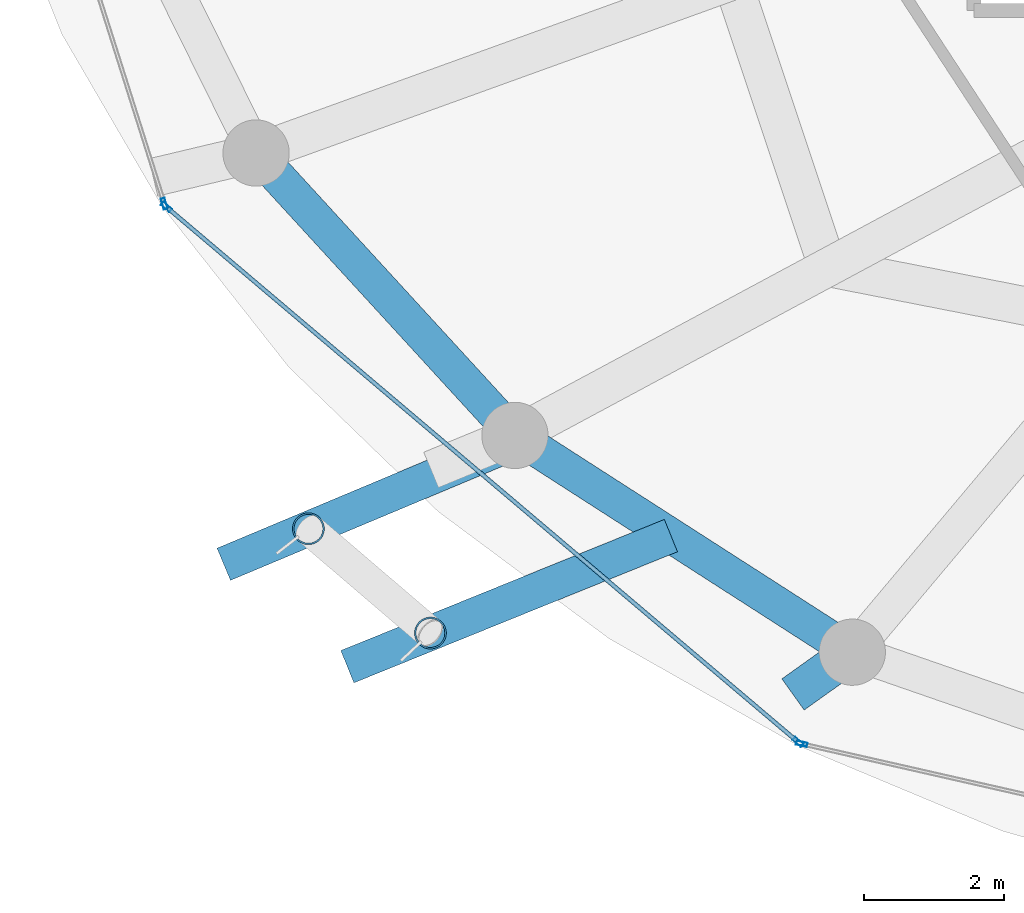
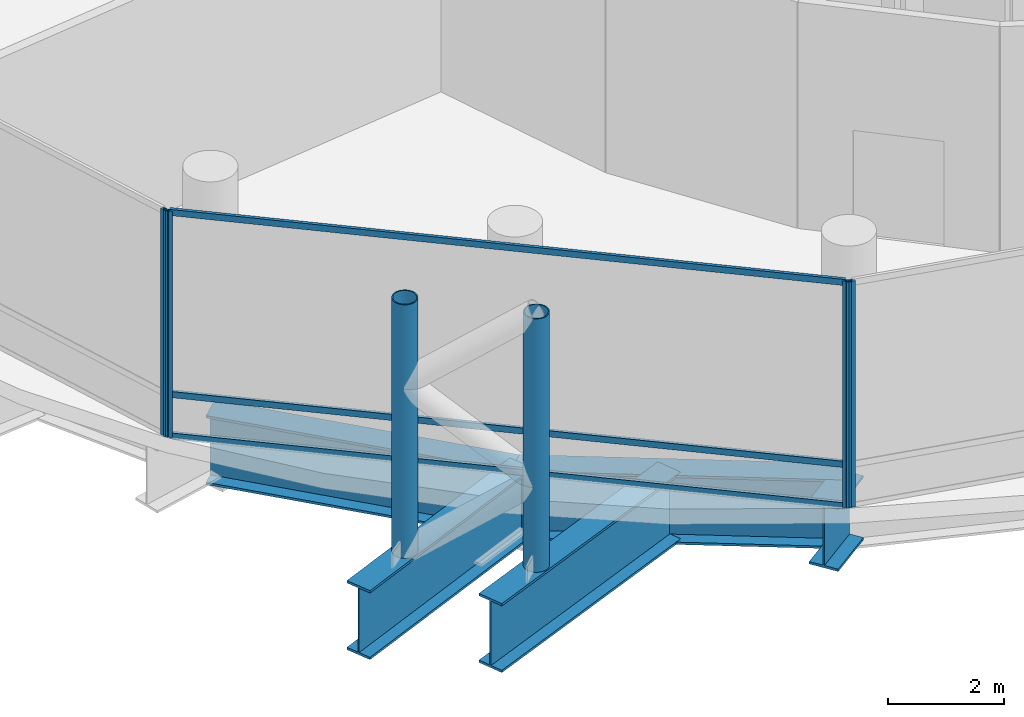
# One storey, part 2 of 29: 9 members, 5 beams, 3 elements without a shape of their own.
"""IFC4 building model written with IfcOpenShell, lengths in metres."""

from ifc_helpers import new_model, si_unit, direction, frame, origin, origin_2d, place, context, subcontext, project, spatial, hollow_rectangle, hollow_circle, i_section, extrude, material, layer, layer_set, material_profile, profile_set, type_object, element, aggregate, save


model = new_model("IFC4")

# Units and contexts
model_context = context("Model", 3, precision=1e-05, world=origin(), true_north=direction((0.0, 1.0)))
body_context = subcontext(model_context, "Body", "Model", "MODEL_VIEW")
ifc_project = project(units=[si_unit("LENGTHUNIT", "METRE"), si_unit("AREAUNIT", "SQUARE_METRE"), si_unit("VOLUMEUNIT", "CUBIC_METRE"), si_unit("PLANEANGLEUNIT", "RADIAN"), si_unit("MASSUNIT", "GRAM", prefix="KILO")], contexts=[model_context])

# Site, building, storey
site_placement = place(None, origin())
site = spatial("IfcSite", under=ifc_project, at=site_placement, CompositionType="ELEMENT")
building_placement = place(site_placement, origin())
building = spatial("IfcBuilding", under=site, at=building_placement, Name="Nuhasar Tower", CompositionType="ELEMENT")
storey_placement = place(building_placement, frame((0.0, 0.0, 113.25)))
storey = spatial("IfcBuildingStorey", under=building, at=storey_placement, Name="L26", CompositionType="ELEMENT", Elevation=113.25)

# Beams
ifc_material_1 = material(Name="Steel S460", Category="steel")
ifc_material_profile_1 = material_profile(ifc_material_1, i_section(OverallWidth=0.550048828125, OverallDepth=1.35009765625, WebThickness=0.028076171875, FlangeThickness=0.050048828125, at=origin_2d()), Name="PG1350X550")
ifc_profile_set_1 = profile_set([ifc_material_profile_1], Name="Steel S460")
beam_type_1 = type_object("IfcBeamType", Name="BM-XFER-PG1350", PredefinedType="USERDEFINED", material=ifc_profile_set_1)
beam_1_placement = place(storey_placement, frame((27.324951171875, 9.868896484375, -0.9951171875), z_axis=(-0.81422311816, -0.58055207678, 0.0), x_axis=(0.58055207678, -0.81422311816, 0.0)))
element("IfcBeam", 1, at=beam_1_placement, inside=storey, type_object=beam_type_1, Name="L26 Outer Column Step Transfer Girder 17", ObjectType="GIRDER", PredefinedType="USERDEFINED", context=body_context, shape_type="SweptSolid", body=[
    extrude(i_section(OverallWidth=0.550048828125, OverallDepth=1.35009765625, WebThickness=0.028076171875, FlangeThickness=0.050048828125, at=origin_2d()), origin(), (0.0, 0.0, 1.0), 1.043701171875),
])
ifc_material_profile_2 = material_profile(ifc_material_1, i_section(OverallWidth=0.5, OverallDepth=1.449951171875, WebThickness=0.028076171875, FlangeThickness=0.050048828125, at=origin_2d()), Name="PG1450X500")
ifc_profile_set_2 = profile_set([ifc_material_profile_2], Name="Steel S460")
beam_type_2 = type_object("IfcBeamType", Name="BM-XFER-PG1450", PredefinedType="USERDEFINED", material=ifc_profile_set_2)
beam_2_placement = place(storey_placement, frame((18.778076171875, 17.02490234375, -1.044921875), z_axis=(0.675676316545, -0.737198423262, 0.0), x_axis=(0.737198423262, 0.675676316545, 0.0)))
element("IfcBeam", 2, at=beam_2_placement, inside=storey, type_object=beam_type_2, Name="L26 Perimeter Ring Spandrel 15", ObjectType="GIRDER", PredefinedType="USERDEFINED", context=body_context, shape_type="SweptSolid", body=[
    extrude(i_section(OverallWidth=0.5, OverallDepth=1.449951171875, WebThickness=0.028076171875, FlangeThickness=0.050048828125, at=origin_2d()), origin(), (0.0, 0.0, 1.0), 5.4921875),
])
beam_3_placement = place(storey_placement, frame((22.489013671875, 12.97607421875, -1.044921875), z_axis=(0.841308170616, -0.540555789955, 0.0), x_axis=(0.540555789955, 0.841308170616, 0.0)))
element("IfcBeam", 3, at=beam_3_placement, inside=storey, type_object=beam_type_2, Name="L26 Perimeter Ring Spandrel 16", ObjectType="GIRDER", PredefinedType="USERDEFINED", context=body_context, shape_type="SweptSolid", body=[
    extrude(i_section(OverallWidth=0.5, OverallDepth=1.449951171875, WebThickness=0.028076171875, FlangeThickness=0.050048828125, at=origin_2d()), origin(), (0.0, 0.0, 1.0), 5.748046875),
])
beam_4_placement = place(storey_placement, frame((22.580078125, 12.9169921875, -1.044921875), z_axis=(-0.922234459604, -0.386631092281, 0.0), x_axis=(0.386631092281, -0.922234459604, 0.0)))
element("IfcBeam", 4, at=beam_4_placement, inside=storey, type_object=beam_type_2, Name="L26 Exoskeleton Step Transfer Girder 15", ObjectType="GIRDER", PredefinedType="USERDEFINED", context=body_context, shape_type="SweptSolid", body=[
    extrude(i_section(OverallWidth=0.5, OverallDepth=1.449951171875, WebThickness=0.028076171875, FlangeThickness=0.050048828125, at=origin_2d()), origin(), (0.0, 0.0, 1.0), 4.624755859375),
])
beam_5_placement = place(storey_placement, frame((24.72509765625, 11.5400390625, -1.044921875), z_axis=(-0.926822339646, -0.375500134133, 0.0), x_axis=(0.375500134133, -0.926822339646, 0.0)))
element("IfcBeam", 5, at=beam_5_placement, inside=storey, type_object=beam_type_2, Name="L26 Exoskeleton Step Transfer Girder 16", ObjectType="GIRDER", PredefinedType="USERDEFINED", context=body_context, shape_type="SweptSolid", body=[
    extrude(i_section(OverallWidth=0.5, OverallDepth=1.449951171875, WebThickness=0.028076171875, FlangeThickness=0.050048828125, at=origin_2d()), origin(), (0.0, 0.0, 1.0), 5.00439453125),
])

# Curtain wall, member
ifc_material_2 = material(Name="Aluminium 6063-T6", Category="aluminium")
ifc_layer = layer(ifc_material_2, 0.239990234375)
ifc_layer_set = layer_set([ifc_layer], Name="Aluminium 6063-T6")
curtain_wall_type = type_object("IfcCurtainWallType", Name="CW-SKY-LBY", PredefinedType="NOTDEFINED", material=ifc_layer_set)
curtain_wall_1_placement = place(storey_placement, origin())
curtain_wall_1 = element("IfcCurtainWall", 6, at=curtain_wall_1_placement, inside=storey, type_object=curtain_wall_type, Name="L26 Unitised Curtain Wall 07", PredefinedType="NOTDEFINED")
ifc_material_profile_3 = material_profile(ifc_material_2, hollow_rectangle(XDim=0.06005859375, YDim=0.159912109375, WallThickness=0.0048828125, at=origin_2d()), Name="CWM-6")
ifc_profile_set_3 = profile_set([ifc_material_profile_3], Name="Aluminium 6063-T6")
member_type_1 = type_object("IfcMemberType", Name="CW-MUL-S6", PredefinedType="MULLION", material=ifc_profile_set_3)
member_1_placement = place(storey_placement, frame((17.4619140625, 16.298583984375, 0.0), z_axis=(0.0, 0.0, 1.0), x_axis=(0.953433389233, 0.301603667577, 0.0)))
member_1 = element("IfcMember", 7, at=member_1_placement, type_object=member_type_1, Name="CW-SL mullion 2", PredefinedType="MULLION", context=body_context, shape_type="SweptSolid", body=[
    extrude(hollow_rectangle(XDim=0.06005859375, YDim=0.159912109375, WallThickness=0.0048828125, at=origin_2d()), origin(), (0.0, 0.0, 1.0), 4.75),
])
aggregate(curtain_wall_1, [member_1])

# Curtain wall, members
curtain_wall_2_placement = place(storey_placement, origin())
curtain_wall_2 = element("IfcCurtainWall", 8, at=curtain_wall_2_placement, inside=storey, type_object=curtain_wall_type, Name="L26 Unitised Curtain Wall 08", PredefinedType="NOTDEFINED")
member_2_placement = place(storey_placement, frame((17.493896484375, 16.25048828125, 0.0), z_axis=(0.0, 0.0, 1.0), x_axis=(0.646374438324, 0.763020370292, 0.0)))
member_2 = element("IfcMember", 9, at=member_2_placement, type_object=member_type_1, Name="CW-SL mullion 1", PredefinedType="MULLION", context=body_context, shape_type="SweptSolid", body=[
    extrude(hollow_rectangle(XDim=0.06005859375, YDim=0.159912109375, WallThickness=0.0048828125, at=origin_2d()), origin(), (0.0, 0.0, 1.0), 4.75),
])
member_3_placement = place(storey_placement, frame((26.547119140625, 8.581298828125, 0.0), z_axis=(0.0, 0.0, 1.0), x_axis=(0.646374438324, 0.763020370292, 0.0)))
member_3 = element("IfcMember", 10, at=member_3_placement, type_object=member_type_1, Name="CW-SL mullion 2", PredefinedType="MULLION", context=body_context, shape_type="SweptSolid", body=[
    extrude(hollow_rectangle(XDim=0.06005859375, YDim=0.159912109375, WallThickness=0.0048828125, at=origin_2d()), origin(), (0.0, 0.0, 1.0), 4.75),
])

# Curtain wall, member
curtain_wall_3_placement = place(storey_placement, origin())
curtain_wall_3 = element("IfcCurtainWall", 11, at=curtain_wall_3_placement, inside=storey, type_object=curtain_wall_type, Name="L26 Unitised Curtain Wall 09", PredefinedType="NOTDEFINED")
member_4_placement = place(storey_placement, frame((26.599365234375, 8.555419921875, 0.0), z_axis=(0.0, 0.0, 1.0), x_axis=(0.22139729566, 0.975183694221, 0.0)))
member_4 = element("IfcMember", 12, at=member_4_placement, type_object=member_type_1, Name="CW-SL mullion 1", PredefinedType="MULLION", context=body_context, shape_type="SweptSolid", body=[
    extrude(hollow_rectangle(XDim=0.06005859375, YDim=0.159912109375, WallThickness=0.0048828125, at=origin_2d()), origin(), (0.0, 0.0, 1.0), 4.75),
])
aggregate(curtain_wall_3, [member_4])

# Member
ifc_material_profile_4 = material_profile(ifc_material_2, hollow_rectangle(XDim=0.06005859375, YDim=0.1298828125, WallThickness=0.00439453125, at=origin_2d()), Name="CWT-6")
ifc_profile_set_4 = profile_set([ifc_material_profile_4], Name="Aluminium 6063-T6")
member_type_2 = type_object("IfcMemberType", Name="CW-TRN-S6", PredefinedType="USERDEFINED", material=ifc_profile_set_4)
member_5_placement = place(storey_placement, frame((17.516845703125, 16.231201171875, 0.030029296875), z_axis=(0.76301903182, -0.646376018336, 0.0), x_axis=(0.646376018336, 0.76301903182, 0.0)))
member_5 = element("IfcMember", 13, at=member_5_placement, type_object=member_type_2, Name="CW-SL transom 1.1", ObjectType="TRANSOM", PredefinedType="USERDEFINED", context=body_context, shape_type="SweptSolid", body=[
    extrude(hollow_rectangle(XDim=0.06005859375, YDim=0.1298828125, WallThickness=0.00439453125, at=origin_2d()), origin(), (0.0, 0.0, 1.0), 11.804931640625),
])

member_6_placement = place(storey_placement, frame((17.516845703125, 16.231201171875, 0.89990234375), z_axis=(0.76301903182, -0.646376018336, 0.0), x_axis=(0.646376018336, 0.76301903182, 0.0)))
member_6 = element("IfcMember", 14, at=member_6_placement, type_object=member_type_2, Name="CW-SL transom 1.2", ObjectType="TRANSOM", PredefinedType="USERDEFINED", context=body_context, shape_type="SweptSolid", body=[
    extrude(hollow_rectangle(XDim=0.06005859375, YDim=0.1298828125, WallThickness=0.00439453125, at=origin_2d()), origin(), (0.0, 0.0, 1.0), 11.804931640625),
])

member_7_placement = place(storey_placement, frame((17.516845703125, 16.231201171875, 4.719970703125), z_axis=(0.76301903182, -0.646376018336, 0.0), x_axis=(0.646376018336, 0.76301903182, 0.0)))
member_7 = element("IfcMember", 15, at=member_7_placement, type_object=member_type_2, Name="CW-SL transom 1.3", ObjectType="TRANSOM", PredefinedType="USERDEFINED", context=body_context, shape_type="SweptSolid", body=[
    extrude(hollow_rectangle(XDim=0.06005859375, YDim=0.1298828125, WallThickness=0.00439453125, at=origin_2d()), origin(), (0.0, 0.0, 1.0), 11.804931640625),
])

aggregate(curtain_wall_2, [member_2, member_3, member_5, member_6, member_7])

# Members
ifc_material_profile_5 = material_profile(ifc_material_1, hollow_circle(Radius=0.228515625, WallThickness=0.022216796875, at=origin_2d()), Name="HSS457X22.2")
ifc_profile_set_5 = profile_set([ifc_material_profile_5], Name="Steel S460")
member_type_3 = type_object("IfcMemberType", Name="EXO-BRONZE-457", PredefinedType="BRACE", material=ifc_profile_set_5)
for number, where, z_axis, x_axis, name in (
    (16, (19.529052734375, 11.637939453125, -0.320068359375), (0.0, 0.0, 1.0), (1.0, 0.0, 0.0), "L26 Exoskeleton Chord Column EC-08A"),
    (17, (21.277099609375, 10.14306640625, -0.320068359375), (0.0, 0.0, 1.0), (1.0, 0.0, 0.0), "L26 Exoskeleton Chord Column EC-08B"),
):
    element("IfcMember", number, at=place(storey_placement, frame(where, z_axis=z_axis, x_axis=x_axis)), inside=storey, type_object=member_type_3, Name=name, PredefinedType="BRACE", context=body_context, shape_type="SweptSolid", body=[
        extrude(hollow_circle(Radius=0.228515625, WallThickness=0.022216796875, at=origin_2d()), origin(), (0.0, 0.0, 1.0), 5.320068359375),
    ])

save(model, "model.ifc")
